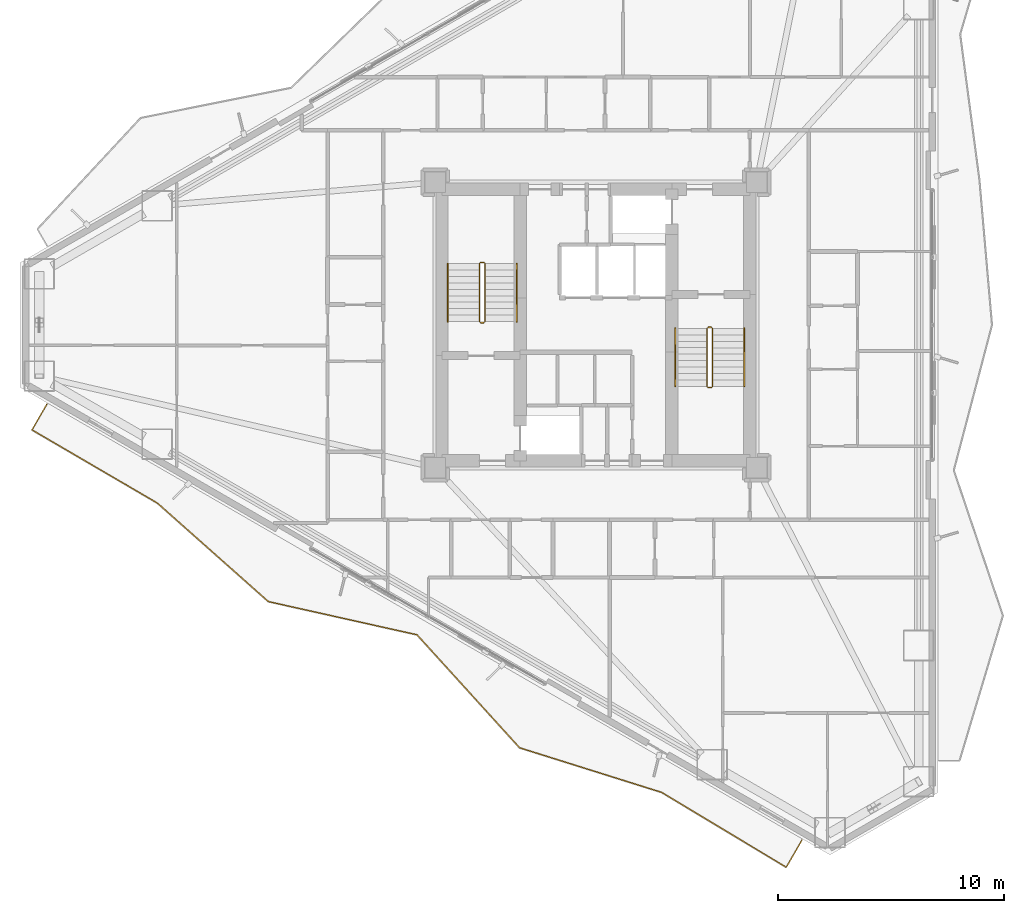
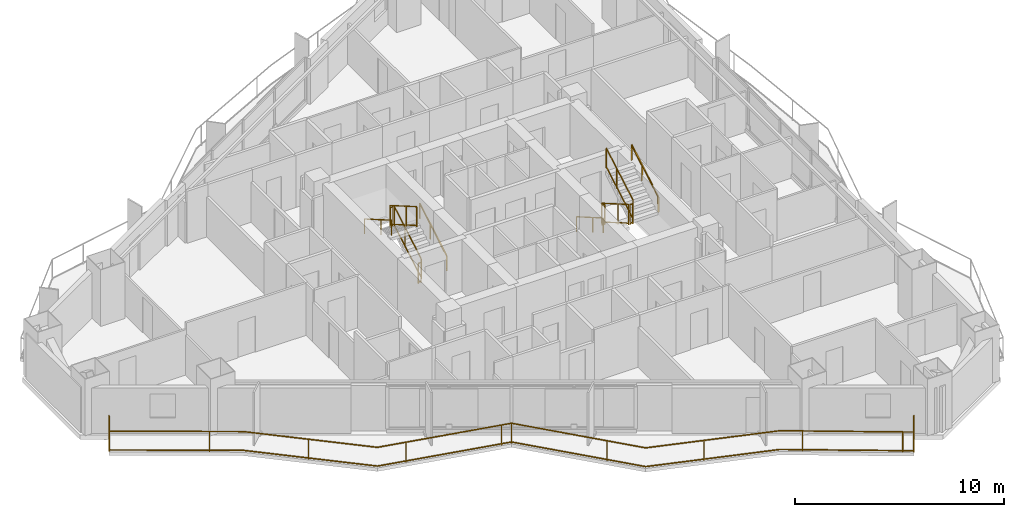
# One storey, part 18 of 19: 13 railings.
"""IFC4 building model written with IfcOpenShell, lengths in metres."""

from ifc_helpers import new_model, si_unit, direction, frame, origin, origin_2d, place, context, subcontext, project, spatial, rectangle, extrude, material, type_object, element, save


model = new_model("IFC4")

# Units and contexts
model_context = context("Model", 3, precision=1e-05, world=origin(), true_north=direction((0.0, 1.0)))
body_context = subcontext(model_context, "Body", "Model", "MODEL_VIEW")
ifc_project = project(units=[si_unit("LENGTHUNIT", "METRE"), si_unit("AREAUNIT", "SQUARE_METRE"), si_unit("VOLUMEUNIT", "CUBIC_METRE"), si_unit("PLANEANGLEUNIT", "RADIAN"), si_unit("MASSUNIT", "GRAM", prefix="KILO")], contexts=[model_context])

# Site, building, storey
site_placement = place(None, origin())
site = spatial("IfcSite", under=ifc_project, at=site_placement, CompositionType="ELEMENT")
building_placement = place(site_placement, origin())
building = spatial("IfcBuilding", under=site, at=building_placement, Name="Mersakhor Tower and Convention Hall", CompositionType="ELEMENT")
storey_placement = place(building_placement, frame((0.0, 0.0, 29.10009765625)))
storey = spatial("IfcBuildingStorey", under=building, at=storey_placement, Name="L07", CompositionType="ELEMENT", Elevation=29.10009765625)

# Railings
ifc_material_1 = material(Name="Powder-coated galvanised steel and laminated glass balustrade", Category="steel")
railing_type_1 = type_object("IfcRailingType", Name="RL-BAL-1200", PredefinedType="BALUSTRADE", material=ifc_material_1)
railing_1_placement = place(storey_placement, frame((4.75048828125, 23.256591796875, 0.0)))
element("IfcRailing", 1, at=railing_1_placement, inside=storey, type_object=railing_type_1, Name="L07 Sinusoidal Balcony Balustrade F3", PredefinedType="BALUSTRADE", context=body_context, shape_type="SweptSolid", body=[
    extrude(rectangle(XDim=0.048095703125, YDim=0.048095703125, at=origin_2d()), frame((0.0, 0.0, 1.17578125), z_axis=(-0.499974327079, -0.866040225545, 0.0), x_axis=(0.866040225545, -0.499974327079, 0.0)), (0.0, 0.0, 1.0), 1.314453125),
    extrude(rectangle(XDim=0.048095703125, YDim=0.048095703125, at=origin_2d()), frame((0.0, 0.0, 0.080078125), z_axis=(-0.499974327079, -0.866040225545, 0.0), x_axis=(0.866040225545, -0.499974327079, 0.0)), (0.0, 0.0, 1.0), 1.314453125),
    extrude(rectangle(XDim=0.048095703125, YDim=0.048095703125, at=origin_2d()), frame((-0.6572265625, -1.138427734375, 1.17578125), z_axis=(0.863593962295, -0.504187929533, 0.0), x_axis=(0.504187929533, 0.863593962295, 0.0)), (0.0, 0.0, 1.0), 6.41796875),
    extrude(rectangle(XDim=0.048095703125, YDim=0.048095703125, at=origin_2d()), frame((-0.6572265625, -1.138427734375, 0.080078125), z_axis=(0.863593962295, -0.504187929533, 0.0), x_axis=(0.504187929533, 0.863593962295, 0.0)), (0.0, 0.0, 1.0), 6.41796875),
    extrude(rectangle(XDim=0.048095703125, YDim=0.048095703125, at=origin_2d()), frame((4.88525390625, -4.374267578125, 1.17578125), z_axis=(0.747960052677, -0.663743745431, 0.0), x_axis=(0.663743745431, 0.747960052677, 0.0)), (0.0, 0.0, 1.0), 6.5517578125),
    extrude(rectangle(XDim=0.048095703125, YDim=0.048095703125, at=origin_2d()), frame((4.88525390625, -4.374267578125, 0.080078125), z_axis=(0.747960052677, -0.663743745431, 0.0), x_axis=(0.663743745431, 0.747960052677, 0.0)), (0.0, 0.0, 1.0), 6.5517578125),
    extrude(rectangle(XDim=0.048095703125, YDim=0.048095703125, at=origin_2d()), frame((9.78564453125, -8.722900390625, 1.17578125), z_axis=(0.975930152254, -0.218083327931, 0.0), x_axis=(0.218083327931, 0.975930152254, 0.0)), (0.0, 0.0, 1.0), 6.725830078125),
    extrude(rectangle(XDim=0.048095703125, YDim=0.048095703125, at=origin_2d()), frame((9.78564453125, -8.722900390625, 0.080078125), z_axis=(0.975930152254, -0.218083327931, 0.0), x_axis=(0.218083327931, 0.975930152254, 0.0)), (0.0, 0.0, 1.0), 6.725830078125),
    extrude(rectangle(XDim=0.048095703125, YDim=0.048095703125, at=origin_2d()), frame((16.349609375, -10.189697265625, 1.17578125), z_axis=(0.672270587685, -0.740305515942, 0.0), x_axis=(0.740305515942, 0.672270587685, 0.0)), (0.0, 0.0, 1.0), 6.739013671875),
    extrude(rectangle(XDim=0.048095703125, YDim=0.048095703125, at=origin_2d()), frame((16.349609375, -10.189697265625, 0.080078125), z_axis=(0.672270587685, -0.740305515942, 0.0), x_axis=(0.740305515942, 0.672270587685, 0.0)), (0.0, 0.0, 1.0), 6.739013671875),
    extrude(rectangle(XDim=0.048095703125, YDim=0.048095703125, at=origin_2d()), frame((20.880126953125, -15.1787109375, 1.17578125), z_axis=(0.954066815556, -0.299593910909, 0.0), x_axis=(0.299593910909, 0.954066815556, 0.0)), (0.0, 0.0, 1.0), 6.575439453125),
    extrude(rectangle(XDim=0.048095703125, YDim=0.048095703125, at=origin_2d()), frame((20.880126953125, -15.1787109375, 0.080078125), z_axis=(0.954066815556, -0.299593910909, 0.0), x_axis=(0.299593910909, 0.954066815556, 0.0)), (0.0, 0.0, 1.0), 6.575439453125),
    extrude(rectangle(XDim=0.048095703125, YDim=0.048095703125, at=origin_2d()), frame((27.153564453125, -17.148681640625, 1.17578125), z_axis=(0.857150423449, -0.515066162334, 0.0), x_axis=(0.515066162334, 0.857150423449, 0.0)), (0.0, 0.0, 1.0), 6.4189453125),
    extrude(rectangle(XDim=0.048095703125, YDim=0.048095703125, at=origin_2d()), frame((27.153564453125, -17.148681640625, 0.080078125), z_axis=(0.857150423449, -0.515066162334, 0.0), x_axis=(0.515066162334, 0.857150423449, 0.0)), (0.0, 0.0, 1.0), 6.4189453125),
    extrude(rectangle(XDim=0.048095703125, YDim=0.048095703125, at=origin_2d()), frame((32.655517578125, -20.454833984375, 1.17578125), z_axis=(0.500133876993, 0.865948096068, 0.0), x_axis=(-0.865948096068, 0.500133876993, 0.0)), (0.0, 0.0, 1.0), 1.38671875),
    extrude(rectangle(XDim=0.048095703125, YDim=0.048095703125, at=origin_2d()), frame((32.655517578125, -20.454833984375, 0.080078125), z_axis=(0.500133876993, 0.865948096068, 0.0), x_axis=(-0.865948096068, 0.500133876993, 0.0)), (0.0, 0.0, 1.0), 1.38671875),
    extrude(rectangle(XDim=0.0419921875, YDim=0.0419921875, at=origin_2d()), origin(), (0.0, 0.0, 1.0), 1.15185546875),
    extrude(rectangle(XDim=0.0419921875, YDim=0.0419921875, at=origin_2d()), frame((-0.6572265625, -1.138427734375, 0.0)), (0.0, 0.0, 1.0), 1.15185546875),
    extrude(rectangle(XDim=0.0419921875, YDim=0.0419921875, at=origin_2d()), frame((3.488037109375, -3.55859375, 0.0)), (0.0, 0.0, 1.0), 1.15185546875),
    extrude(rectangle(XDim=0.0419921875, YDim=0.0419921875, at=origin_2d()), frame((7.265380859375, -6.486328125, 0.0)), (0.0, 0.0, 1.0), 1.15185546875),
    extrude(rectangle(XDim=0.0419921875, YDim=0.0419921875, at=origin_2d()), frame((11.181640625, -9.034912109375, 0.0)), (0.0, 0.0, 1.0), 1.15185546875),
    extrude(rectangle(XDim=0.0419921875, YDim=0.0419921875, at=origin_2d()), frame((15.865966796875, -10.08154296875, 0.0)), (0.0, 0.0, 1.0), 1.15185546875),
    extrude(rectangle(XDim=0.0419921875, YDim=0.0419921875, at=origin_2d()), frame((16.349609375, -10.189697265625, 0.0)), (0.0, 0.0, 1.0), 1.15185546875),
    extrude(rectangle(XDim=0.0419921875, YDim=0.0419921875, at=origin_2d()), frame((19.576416015625, -13.7431640625, 0.0)), (0.0, 0.0, 1.0), 1.15185546875),
    extrude(rectangle(XDim=0.0419921875, YDim=0.0419921875, at=origin_2d()), frame((23.609619140625, -16.035888671875, 0.0)), (0.0, 0.0, 1.0), 1.15185546875),
    extrude(rectangle(XDim=0.0419921875, YDim=0.0419921875, at=origin_2d()), frame((28.083984375, -17.707763671875, 0.0)), (0.0, 0.0, 1.0), 1.15185546875),
    extrude(rectangle(XDim=0.0419921875, YDim=0.0419921875, at=origin_2d()), frame((32.1982421875, -20.179931640625, 0.0)), (0.0, 0.0, 1.0), 1.15185546875),
    extrude(rectangle(XDim=0.0419921875, YDim=0.0419921875, at=origin_2d()), frame((32.655517578125, -20.454833984375, 0.0)), (0.0, 0.0, 1.0), 1.15185546875),
    extrude(rectangle(XDim=0.0419921875, YDim=0.0419921875, at=origin_2d()), frame((33.34912109375, -19.25390625, 0.0)), (0.0, 0.0, 1.0), 1.15185546875),
])
ifc_material_2 = material(Name="Brushed stainless steel handrail", Category="steel")
railing_type_2 = type_object("IfcRailingType", Name="RL-HR-900", PredefinedType="HANDRAIL", material=ifc_material_2)
railing_2_placement = place(storey_placement, frame((25.5, 26.89990234375, 0.164794921875)))
element("IfcRailing", 2, at=railing_2_placement, inside=storey, type_object=railing_type_2, Name="L07 ST-1 stair handrail 1", PredefinedType="HANDRAIL", context=body_context, shape_type="SweptSolid", body=[
    extrude(rectangle(XDim=0.048095703125, YDim=0.048095703125, at=origin_2d()), frame((0.0, 0.0, 0.8759765625), z_axis=(0.0, 0.865426285481, 0.501036270542), x_axis=(-1.0, 0.0, 0.0)), (0.0, 0.0, 1.0), 2.964111328125),
    extrude(rectangle(XDim=0.0419921875, YDim=0.0419921875, at=origin_2d()), origin(), (0.0, 0.0, 1.0), 0.851806640625),
    extrude(rectangle(XDim=0.0419921875, YDim=0.0419921875, at=origin_2d()), frame((0.0, 1.557861328125, 0.90185546875)), (0.0, 0.0, 1.0), 0.851806640625),
    extrude(rectangle(XDim=0.0419921875, YDim=0.0419921875, at=origin_2d()), frame((0.0, 2.565185546875, 1.485107421875)), (0.0, 0.0, 1.0), 0.851806640625),
])
railing_3_placement = place(storey_placement, frame((22.449951171875, 29.465087890625, 1.81494140625)))
element("IfcRailing", 3, at=railing_3_placement, inside=storey, type_object=railing_type_2, Name="L07 ST-1 stair handrail 2", PredefinedType="HANDRAIL", context=body_context, shape_type="SweptSolid", body=[
    extrude(rectangle(XDim=0.048095703125, YDim=0.048095703125, at=origin_2d()), frame((0.0, 0.0, 0.8759765625), z_axis=(0.0, -0.865461999751, 0.500974577186), x_axis=(1.0, 0.0, 0.0)), (0.0, 0.0, 1.0), 2.9638671875),
    extrude(rectangle(XDim=0.0419921875, YDim=0.0419921875, at=origin_2d()), origin(), (0.0, 0.0, 1.0), 0.851806640625),
    extrude(rectangle(XDim=0.0419921875, YDim=0.0419921875, at=origin_2d()), frame((0.0, -1.557861328125, 0.90185546875)), (0.0, 0.0, 1.0), 0.851806640625),
    extrude(rectangle(XDim=0.0419921875, YDim=0.0419921875, at=origin_2d()), frame((0.0, -2.565185546875, 1.48486328125)), (0.0, 0.0, 1.0), 0.851806640625),
])
railing_4_placement = place(storey_placement, frame((32.5, 26.60009765625, 0.164794921875)))
element("IfcRailing", 4, at=railing_4_placement, inside=storey, type_object=railing_type_2, Name="L07 ST-2 stair handrail 1", PredefinedType="HANDRAIL", context=body_context, shape_type="SweptSolid", body=[
    extrude(rectangle(XDim=0.048095703125, YDim=0.048095703125, at=origin_2d()), frame((0.0, 0.0, 0.8759765625), z_axis=(0.0, -0.865426285481, 0.501036270542), x_axis=(1.0, 0.0, 0.0)), (0.0, 0.0, 1.0), 2.964111328125),
    extrude(rectangle(XDim=0.0419921875, YDim=0.0419921875, at=origin_2d()), origin(), (0.0, 0.0, 1.0), 0.851806640625),
    extrude(rectangle(XDim=0.0419921875, YDim=0.0419921875, at=origin_2d()), frame((0.0, -1.557861328125, 0.90185546875)), (0.0, 0.0, 1.0), 0.851806640625),
    extrude(rectangle(XDim=0.0419921875, YDim=0.0419921875, at=origin_2d()), frame((0.0, -2.565185546875, 1.485107421875)), (0.0, 0.0, 1.0), 0.851806640625),
])
railing_5_placement = place(storey_placement, frame((35.550048828125, 24.034912109375, 1.81494140625)))
element("IfcRailing", 5, at=railing_5_placement, inside=storey, type_object=railing_type_2, Name="L07 ST-2 stair handrail 2", PredefinedType="HANDRAIL", context=body_context, shape_type="SweptSolid", body=[
    extrude(rectangle(XDim=0.048095703125, YDim=0.048095703125, at=origin_2d()), frame((0.0, 0.0, 0.8759765625), z_axis=(0.0, 0.865461999751, 0.500974577186), x_axis=(-1.0, 0.0, 0.0)), (0.0, 0.0, 1.0), 2.9638671875),
    extrude(rectangle(XDim=0.0419921875, YDim=0.0419921875, at=origin_2d()), origin(), (0.0, 0.0, 1.0), 0.851806640625),
    extrude(rectangle(XDim=0.0419921875, YDim=0.0419921875, at=origin_2d()), frame((0.0, 1.557861328125, 0.90185546875)), (0.0, 0.0, 1.0), 0.851806640625),
    extrude(rectangle(XDim=0.0419921875, YDim=0.0419921875, at=origin_2d()), frame((0.0, 2.565185546875, 1.48486328125)), (0.0, 0.0, 1.0), 0.851806640625),
])
ifc_material_3 = material(Name="Painted steel stair balustrade S355", Category="steel")
railing_type_3 = type_object("IfcRailingType", Name="RL-STG-1200", PredefinedType="BALUSTRADE", material=ifc_material_3)
railing_6_placement = place(storey_placement, frame((24.10009765625, 26.89990234375, 0.164794921875)))
element("IfcRailing", 6, at=railing_6_placement, inside=storey, type_object=railing_type_3, Name="L07 ST-1 stair guard 1", PredefinedType="BALUSTRADE", context=body_context, shape_type="SweptSolid", body=[
    extrude(rectangle(XDim=0.048095703125, YDim=0.048095703125, at=origin_2d()), frame((0.0, 0.0, 1.17578125), z_axis=(0.0, 0.865426285481, 0.501036270542), x_axis=(-1.0, 0.0, 0.0)), (0.0, 0.0, 1.0), 2.964111328125),
    extrude(rectangle(XDim=0.048095703125, YDim=0.048095703125, at=origin_2d()), frame((0.0, 0.0, 0.080078125), z_axis=(0.0, 0.865426285481, 0.501036270542), x_axis=(-1.0, 0.0, 0.0)), (0.0, 0.0, 1.0), 2.964111328125),
    extrude(rectangle(XDim=0.0419921875, YDim=0.0419921875, at=origin_2d()), origin(), (0.0, 0.0, 1.0), 1.15185546875),
    extrude(rectangle(XDim=0.0419921875, YDim=0.0419921875, at=origin_2d()), frame((0.0, 1.557861328125, 0.90185546875)), (0.0, 0.0, 1.0), 1.15185546875),
    extrude(rectangle(XDim=0.0419921875, YDim=0.0419921875, at=origin_2d()), frame((0.0, 2.565185546875, 1.485107421875)), (0.0, 0.0, 1.0), 1.15185546875),
])
railing_7_placement = place(storey_placement, frame((24.050048828125, 29.514892578125, 1.64990234375)))
element("IfcRailing", 7, at=railing_7_placement, inside=storey, type_object=railing_type_3, Name="L07 ST-1 stair guard 2", PredefinedType="BALUSTRADE", context=body_context, shape_type="SweptSolid", body=[
    extrude(rectangle(XDim=0.048095703125, YDim=0.048095703125, at=origin_2d()), frame((0.0, 0.0, 1.17578125), z_axis=(-1.0, 0.0, 0.0), x_axis=(0.0, -1.0, 0.0)), (0.0, 0.0, 1.0), 0.150146484375),
    extrude(rectangle(XDim=0.048095703125, YDim=0.048095703125, at=origin_2d()), frame((0.0, 0.0, 0.080078125), z_axis=(-1.0, 0.0, 0.0), x_axis=(0.0, -1.0, 0.0)), (0.0, 0.0, 1.0), 0.150146484375),
    extrude(rectangle(XDim=0.0419921875, YDim=0.0419921875, at=origin_2d()), origin(), (0.0, 0.0, 1.0), 1.15185546875),
    extrude(rectangle(XDim=0.0419921875, YDim=0.0419921875, at=origin_2d()), frame((-0.150146484375, 0.0, 0.0)), (0.0, 0.0, 1.0), 1.15185546875),
])
railing_8_placement = place(storey_placement, frame((23.85009765625, 29.465087890625, 1.81494140625)))
element("IfcRailing", 8, at=railing_8_placement, inside=storey, type_object=railing_type_3, Name="L07 ST-1 stair guard 3", PredefinedType="BALUSTRADE", context=body_context, shape_type="SweptSolid", body=[
    extrude(rectangle(XDim=0.048095703125, YDim=0.048095703125, at=origin_2d()), frame((0.0, 0.0, 1.17578125), z_axis=(0.0, -0.865461999751, 0.500974577186), x_axis=(1.0, 0.0, 0.0)), (0.0, 0.0, 1.0), 2.9638671875),
    extrude(rectangle(XDim=0.048095703125, YDim=0.048095703125, at=origin_2d()), frame((0.0, 0.0, 0.080078125), z_axis=(0.0, -0.865461999751, 0.500974577186), x_axis=(1.0, 0.0, 0.0)), (0.0, 0.0, 1.0), 2.9638671875),
    extrude(rectangle(XDim=0.0419921875, YDim=0.0419921875, at=origin_2d()), origin(), (0.0, 0.0, 1.0), 1.15185546875),
    extrude(rectangle(XDim=0.0419921875, YDim=0.0419921875, at=origin_2d()), frame((0.0, -1.557861328125, 0.90185546875)), (0.0, 0.0, 1.0), 1.15185546875),
    extrude(rectangle(XDim=0.0419921875, YDim=0.0419921875, at=origin_2d()), frame((0.0, -2.565185546875, 1.48486328125)), (0.0, 0.0, 1.0), 1.15185546875),
])
railing_9_placement = place(storey_placement, frame((24.050048828125, 26.85009765625, 0.0)))
element("IfcRailing", 9, at=railing_9_placement, inside=storey, type_object=railing_type_3, Name="L07 ST-1 stair guard 4", PredefinedType="BALUSTRADE", context=body_context, shape_type="SweptSolid", body=[
    extrude(rectangle(XDim=0.048095703125, YDim=0.048095703125, at=origin_2d()), frame((0.0, 0.0, 1.17578125), z_axis=(-1.0, 0.0, 0.0), x_axis=(0.0, -1.0, 0.0)), (0.0, 0.0, 1.0), 0.150146484375),
    extrude(rectangle(XDim=0.048095703125, YDim=0.048095703125, at=origin_2d()), frame((0.0, 0.0, 0.080078125), z_axis=(-1.0, 0.0, 0.0), x_axis=(0.0, -1.0, 0.0)), (0.0, 0.0, 1.0), 0.150146484375),
    extrude(rectangle(XDim=0.0419921875, YDim=0.0419921875, at=origin_2d()), origin(), (0.0, 0.0, 1.0), 1.15185546875),
    extrude(rectangle(XDim=0.0419921875, YDim=0.0419921875, at=origin_2d()), frame((-0.150146484375, 0.0, 0.0)), (0.0, 0.0, 1.0), 1.15185546875),
])
railing_10_placement = place(storey_placement, frame((33.89990234375, 26.60009765625, 0.164794921875)))
element("IfcRailing", 10, at=railing_10_placement, inside=storey, type_object=railing_type_3, Name="L07 ST-2 stair guard 1", PredefinedType="BALUSTRADE", context=body_context, shape_type="SweptSolid", body=[
    extrude(rectangle(XDim=0.048095703125, YDim=0.048095703125, at=origin_2d()), frame((0.0, 0.0, 1.17578125), z_axis=(0.0, -0.865426285481, 0.501036270542), x_axis=(1.0, 0.0, 0.0)), (0.0, 0.0, 1.0), 2.964111328125),
    extrude(rectangle(XDim=0.048095703125, YDim=0.048095703125, at=origin_2d()), frame((0.0, 0.0, 0.080078125), z_axis=(0.0, -0.865426285481, 0.501036270542), x_axis=(1.0, 0.0, 0.0)), (0.0, 0.0, 1.0), 2.964111328125),
    extrude(rectangle(XDim=0.0419921875, YDim=0.0419921875, at=origin_2d()), origin(), (0.0, 0.0, 1.0), 1.15185546875),
    extrude(rectangle(XDim=0.0419921875, YDim=0.0419921875, at=origin_2d()), frame((0.0, -1.557861328125, 0.90185546875)), (0.0, 0.0, 1.0), 1.15185546875),
    extrude(rectangle(XDim=0.0419921875, YDim=0.0419921875, at=origin_2d()), frame((0.0, -2.565185546875, 1.485107421875)), (0.0, 0.0, 1.0), 1.15185546875),
])
railing_11_placement = place(storey_placement, frame((33.949951171875, 23.985107421875, 1.64990234375)))
element("IfcRailing", 11, at=railing_11_placement, inside=storey, type_object=railing_type_3, Name="L07 ST-2 stair guard 2", PredefinedType="BALUSTRADE", context=body_context, shape_type="SweptSolid", body=[
    extrude(rectangle(XDim=0.048095703125, YDim=0.048095703125, at=origin_2d()), frame((0.0, 0.0, 1.17578125), z_axis=(1.0, 0.0, 0.0), x_axis=(0.0, 1.0, 0.0)), (0.0, 0.0, 1.0), 0.150146484375),
    extrude(rectangle(XDim=0.048095703125, YDim=0.048095703125, at=origin_2d()), frame((0.0, 0.0, 0.080078125), z_axis=(1.0, 0.0, 0.0), x_axis=(0.0, 1.0, 0.0)), (0.0, 0.0, 1.0), 0.150146484375),
    extrude(rectangle(XDim=0.0419921875, YDim=0.0419921875, at=origin_2d()), origin(), (0.0, 0.0, 1.0), 1.15185546875),
    extrude(rectangle(XDim=0.0419921875, YDim=0.0419921875, at=origin_2d()), frame((0.150146484375, 0.0, 0.0)), (0.0, 0.0, 1.0), 1.15185546875),
])
railing_12_placement = place(storey_placement, frame((34.14990234375, 24.034912109375, 1.81494140625)))
element("IfcRailing", 12, at=railing_12_placement, inside=storey, type_object=railing_type_3, Name="L07 ST-2 stair guard 3", PredefinedType="BALUSTRADE", context=body_context, shape_type="SweptSolid", body=[
    extrude(rectangle(XDim=0.048095703125, YDim=0.048095703125, at=origin_2d()), frame((0.0, 0.0, 1.17578125), z_axis=(0.0, 0.865461999751, 0.500974577186), x_axis=(-1.0, 0.0, 0.0)), (0.0, 0.0, 1.0), 2.9638671875),
    extrude(rectangle(XDim=0.048095703125, YDim=0.048095703125, at=origin_2d()), frame((0.0, 0.0, 0.080078125), z_axis=(0.0, 0.865461999751, 0.500974577186), x_axis=(-1.0, 0.0, 0.0)), (0.0, 0.0, 1.0), 2.9638671875),
    extrude(rectangle(XDim=0.0419921875, YDim=0.0419921875, at=origin_2d()), origin(), (0.0, 0.0, 1.0), 1.15185546875),
    extrude(rectangle(XDim=0.0419921875, YDim=0.0419921875, at=origin_2d()), frame((0.0, 1.557861328125, 0.90185546875)), (0.0, 0.0, 1.0), 1.15185546875),
    extrude(rectangle(XDim=0.0419921875, YDim=0.0419921875, at=origin_2d()), frame((0.0, 2.565185546875, 1.48486328125)), (0.0, 0.0, 1.0), 1.15185546875),
])
railing_13_placement = place(storey_placement, frame((33.949951171875, 26.64990234375, 0.0)))
element("IfcRailing", 13, at=railing_13_placement, inside=storey, type_object=railing_type_3, Name="L07 ST-2 stair guard 4", PredefinedType="BALUSTRADE", context=body_context, shape_type="SweptSolid", body=[
    extrude(rectangle(XDim=0.048095703125, YDim=0.048095703125, at=origin_2d()), frame((0.0, 0.0, 1.17578125), z_axis=(1.0, 0.0, 0.0), x_axis=(0.0, 1.0, 0.0)), (0.0, 0.0, 1.0), 0.150146484375),
    extrude(rectangle(XDim=0.048095703125, YDim=0.048095703125, at=origin_2d()), frame((0.0, 0.0, 0.080078125), z_axis=(1.0, 0.0, 0.0), x_axis=(0.0, 1.0, 0.0)), (0.0, 0.0, 1.0), 0.150146484375),
    extrude(rectangle(XDim=0.0419921875, YDim=0.0419921875, at=origin_2d()), origin(), (0.0, 0.0, 1.0), 1.15185546875),
    extrude(rectangle(XDim=0.0419921875, YDim=0.0419921875, at=origin_2d()), frame((0.150146484375, 0.0, 0.0)), (0.0, 0.0, 1.0), 1.15185546875),
])

save(model, "model.ifc")
